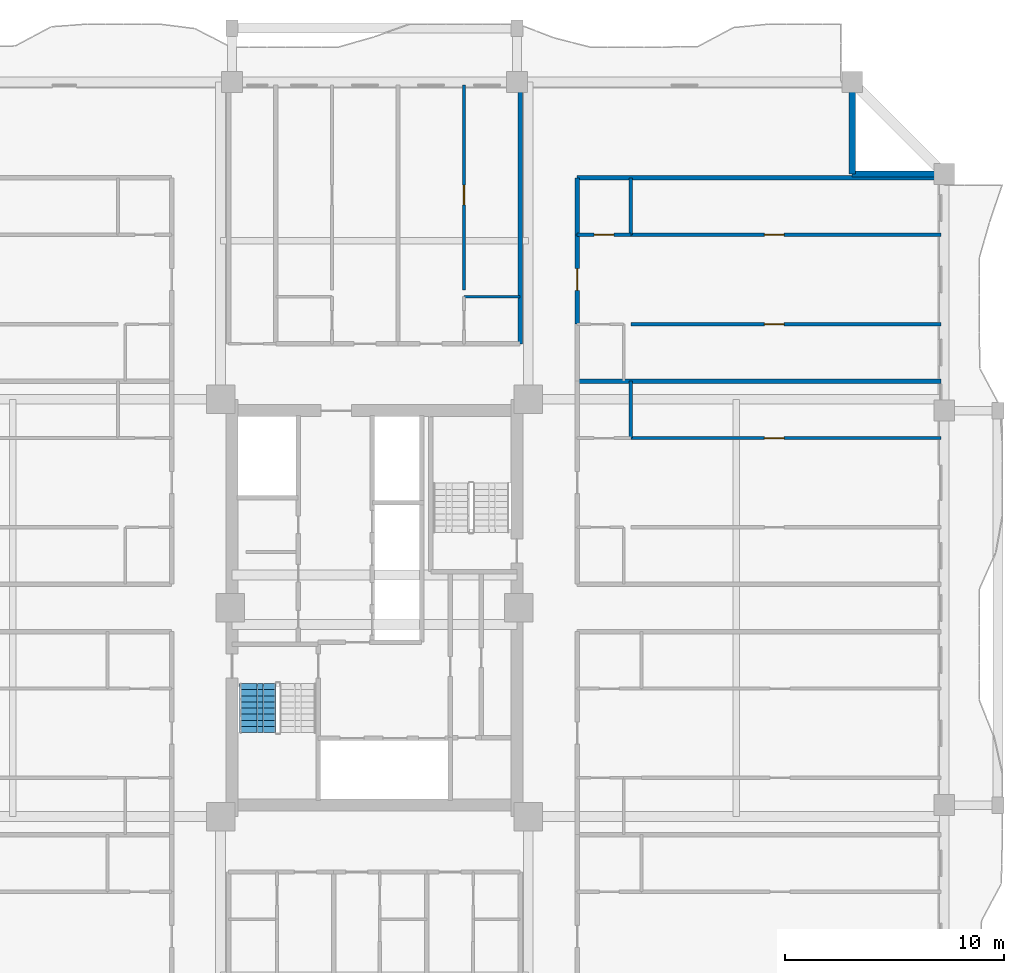
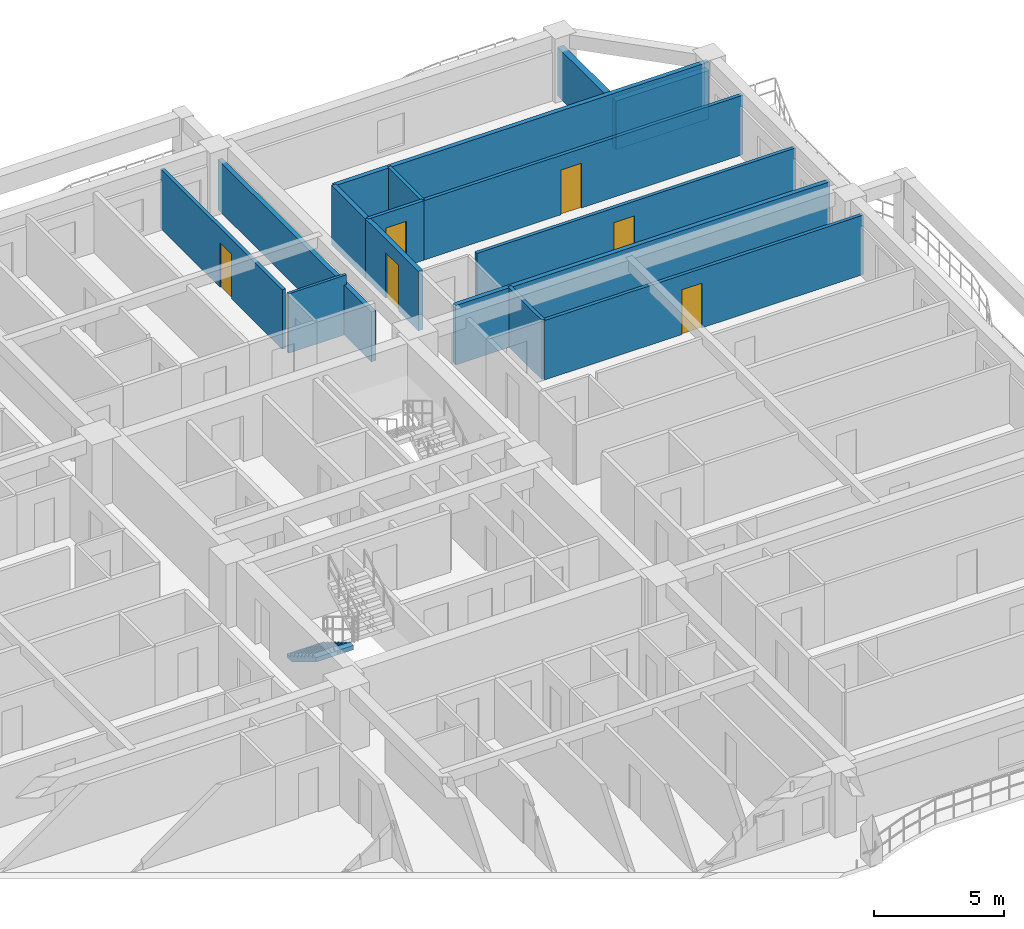
# One storey, part 8 of 13: 15 walls, 6 doors, 1 stair flight, 6 openings, 1 element without a shape of its own.
"""IFC4 building model written with IfcOpenShell, lengths in metres."""

from ifc_helpers import new_model, si_unit, direction, frame, frame_2d, origin, place, context, subcontext, project, spatial, polyline, rectangle, outline, extrude, source, transform, mapped, material, layer, layer_set, type_object, element, fill, aggregate, save


model = new_model("IFC4")

# Units and contexts
model_context = context("Model", 3, precision=1e-05, world=origin(), true_north=direction((0.0, 1.0)))
body_context = subcontext(model_context, "Body", "Model", "MODEL_VIEW")
ifc_project = project(units=[si_unit("LENGTHUNIT", "METRE"), si_unit("AREAUNIT", "SQUARE_METRE"), si_unit("VOLUMEUNIT", "CUBIC_METRE"), si_unit("PLANEANGLEUNIT", "RADIAN"), si_unit("MASSUNIT", "GRAM", prefix="KILO")], contexts=[model_context])

# Site, building, storey
site_placement = place(None, origin())
site = spatial("IfcSite", under=ifc_project, at=site_placement, CompositionType="ELEMENT")
building_placement = place(site_placement, origin())
building = spatial("IfcBuilding", under=site, at=building_placement, Name="Saelheon Loggia Tower", CompositionType="ELEMENT")
storey_placement = place(building_placement, frame((0.0, 0.0, 104.85009765625)))
storey = spatial("IfcBuildingStorey", under=building, at=storey_placement, Name="L33", CompositionType="ELEMENT", Elevation=104.85009765625)

# Walls
ifc_material_1 = material(Name="Architectural Precast Concrete C40/50", Category="concrete")
ifc_layer_1 = layer(ifc_material_1, 0.280029296875)
ifc_layer_set_1 = layer_set([ifc_layer_1], Name="Architectural Precast Concrete C40/50")
wall_type_1 = type_object("IfcWallType", Name="Wall_Ext_Loggia_280", PredefinedType="SOLIDWALL", material=ifc_layer_set_1)
for number, where, z_axis, x_axis, name in (
    (1, (59.800048828125, 46.800048828125, 0.0), (0.0, 0.0, 1.0), (0.0, 1.0, 0.0), "L33 Corner Notch Precast Wall NE1"),
    (2, (59.800048828125, 46.800048828125, 0.0), (0.0, 0.0, 1.0), (1.0, 0.0, 0.0), "L33 Corner Notch Precast Wall NE2"),
):
    element("IfcWall", number, at=place(storey_placement, frame(where, z_axis=z_axis, x_axis=x_axis)), inside=storey, type_object=wall_type_1, Name=name, PredefinedType="SOLIDWALL", context=body_context, shape_type="SweptSolid", body=[
        extrude(rectangle(XDim=4.119873046875, YDim=0.280029296875, at=frame_2d((2.06005859375, 0.0))), origin(), (0.0, 0.0, 1.0), 2.27978515625),
    ])

# Wall, opening, door
ifc_material_2 = material(Name="Lightweight Autoclaved Aerated Concrete Block and Acoustic Gypsum", Category="concrete")
ifc_layer_2 = layer(ifc_material_2, 0.14990234375)
ifc_layer_set_2 = layer_set([ifc_layer_2], Name="Lightweight Autoclaved Aerated Concrete Block and Acoustic Gypsum")
wall_type_2 = type_object("IfcWallType", Name="Wall_Part_150", PredefinedType="PARTITIONING", material=ifc_layer_set_2)
wall_1_placement = place(storey_placement, frame((42.08544921875, 41.5, 0.0), z_axis=(0.0, 0.0, 1.0), x_axis=(0.0, 1.0, 0.0)))
wall_1 = element("IfcWall", 3, at=wall_1_placement, inside=storey, type_object=wall_type_2, Name="L33 N Partition U15", PredefinedType="PARTITIONING", context=body_context, shape_type="SweptSolid", body=[
    extrude(rectangle(XDim=9.35009765625, YDim=0.14990234375, at=frame_2d((4.675048828125, 0.0))), origin(), (0.0, 0.0, 1.0), 2.789794921875),
])
opening_1_placement = place(wall_1_placement, frame((3.892822265625, 0.0, 0.0)))
opening_1 = element("IfcOpeningElement", 4, at=opening_1_placement, cuts=wall_1, Name="Opening D-IN2", PredefinedType="OPENING", context=body_context, shape_type="SweptSolid", body=[
    extrude(rectangle(XDim=0.89990234375, YDim=2.10009765625, at=frame_2d((0.449951171875, 1.050048828125))), frame((0.0, 0.0869140625, 0.0), z_axis=(0.0, -1.0, 0.0), x_axis=(1.0, 0.0, 0.0)), (0.0, 0.0, 1.0), 0.173828125),
])
ifc_material_3 = material(Name="Engineered Oak Flush Door", Category="timber")
door_type_1 = type_object("IfcDoorType", Name="Door_Int_900", OperationType="NOTDEFINED", PredefinedType="DOOR", material=ifc_material_3)
shared_shape_1 = source(origin(), body_context, "Body", "SweptSolid", [
    extrude(rectangle(XDim=0.89990234375, YDim=2.10009765625, at=frame_2d((0.449951171875, 1.050048828125))), frame((0.0, 0.02490234375, 0.0), z_axis=(0.0, -1.0, 0.0), x_axis=(1.0, 0.0, 0.0)), (0.0, 0.0, 1.0), 0.050048828125),
])
door_1_placement = place(opening_1_placement, origin())
door_1 = element("IfcDoor", 5, at=door_1_placement, inside=storey, type_object=door_type_1, Name="Unit U05 Kitchen Door", OperationType="SINGLE_SWING_LEFT", OverallHeight=2.10009765625, OverallWidth=0.89990234375, PredefinedType="DOOR", context=body_context, shape_type="MappedRepresentation", body=[
    mapped(shared_shape_1, transform((0.0, 0.0, 0.0), scale=1.0)),
])
fill(opening_1, door_1)

# Wall
wall_2_placement = place(storey_placement, frame((49.699951171875, 34.75, 0.0), z_axis=(0.0, 0.0, 1.0), x_axis=(0.0, 1.0, 0.0)))
element("IfcWall", 6, at=wall_2_placement, inside=storey, type_object=wall_type_2, Name="L33 EN Partition V07", PredefinedType="PARTITIONING", context=body_context, shape_type="SweptSolid", body=[
    extrude(rectangle(XDim=2.60009765625, YDim=0.14990234375, at=frame_2d((1.300048828125, 0.0))), origin(), (0.0, 0.0, 1.0), 2.789794921875),
])

# Wall, opening, door
wall_3_placement = place(storey_placement, frame((49.699951171875, 34.75, 0.0), z_axis=(0.0, 0.0, 1.0), x_axis=(1.0, 0.0, 0.0)))
wall_3 = element("IfcWall", 7, at=wall_3_placement, inside=storey, type_object=wall_type_2, Name="L33 EN Partition U11", PredefinedType="PARTITIONING", context=body_context, shape_type="SweptSolid", body=[
    extrude(rectangle(XDim=14.150146484375, YDim=0.14990234375, at=frame_2d((7.0751953125, 0.0))), origin(), (0.0, 0.0, 1.0), 2.789794921875),
])
opening_2_placement = place(wall_3_placement, frame((6.093017578125, 0.0, 0.0)))
opening_2 = element("IfcOpeningElement", 8, at=opening_2_placement, cuts=wall_3, Name="Opening D-IN2", PredefinedType="OPENING", context=body_context, shape_type="SweptSolid", body=[
    extrude(rectangle(XDim=0.89990234375, YDim=2.10009765625, at=frame_2d((0.449951171875, 1.050048828125))), frame((0.0, 0.0869140625, 0.0), z_axis=(0.0, -1.0, 0.0), x_axis=(1.0, 0.0, 0.0)), (0.0, 0.0, 1.0), 0.173828125),
])
door_2_placement = place(opening_2_placement, origin())
door_2 = element("IfcDoor", 9, at=door_2_placement, inside=storey, type_object=door_type_1, Name="Unit U12 Bedroom 1 Door", OperationType="SINGLE_SWING_RIGHT", OverallHeight=2.10009765625, OverallWidth=0.89990234375, PredefinedType="DOOR", context=body_context, shape_type="MappedRepresentation", body=[
    mapped(shared_shape_1, transform((0.0, 0.0, 0.0), scale=1.0)),
])
fill(opening_2, door_2)

# Wall
wall_4_placement = place(storey_placement, frame((49.699951171875, 44.02001953125, 0.0), z_axis=(0.0, 0.0, 1.0), x_axis=(0.0, 1.0, 0.0)))
element("IfcWall", 10, at=wall_4_placement, inside=storey, type_object=wall_type_2, Name="L33 EN Partition V17", PredefinedType="PARTITIONING", context=body_context, shape_type="SweptSolid", body=[
    extrude(rectangle(XDim=2.60009765625, YDim=0.14990234375, at=frame_2d((1.300048828125, 0.0))), origin(), (0.0, 0.0, 1.0), 2.789794921875),
])

# Wall, opening, door
wall_5_placement = place(storey_placement, frame((49.699951171875, 39.945556640625, 0.0), z_axis=(0.0, 0.0, 1.0), x_axis=(1.0, 0.0, 0.0)))
wall_5 = element("IfcWall", 11, at=wall_5_placement, inside=storey, type_object=wall_type_2, Name="L33 EN Partition U19", PredefinedType="PARTITIONING", context=body_context, shape_type="SweptSolid", body=[
    extrude(rectangle(XDim=14.150146484375, YDim=0.14990234375, at=frame_2d((7.0751953125, 0.0))), origin(), (0.0, 0.0, 1.0), 2.789794921875),
])
opening_3_placement = place(wall_5_placement, frame((6.093017578125, 0.0, 0.0)))
opening_3 = element("IfcOpeningElement", 12, at=opening_3_placement, cuts=wall_5, Name="Opening D-IN2", PredefinedType="OPENING", context=body_context, shape_type="SweptSolid", body=[
    extrude(rectangle(XDim=0.89990234375, YDim=2.10009765625, at=frame_2d((0.449951171875, 1.050048828125))), frame((0.0, 0.0869140625, 0.0), z_axis=(0.0, -1.0, 0.0), x_axis=(1.0, 0.0, 0.0)), (0.0, 0.0, 1.0), 0.173828125),
])
door_3_placement = place(opening_3_placement, origin())
door_3 = element("IfcDoor", 13, at=door_3_placement, inside=storey, type_object=door_type_1, Name="Unit U13 Kitchen Door", OperationType="SINGLE_SWING_LEFT", OverallHeight=2.10009765625, OverallWidth=0.89990234375, PredefinedType="DOOR", context=body_context, shape_type="MappedRepresentation", body=[
    mapped(shared_shape_1, transform((0.0, 0.0, 0.0), scale=1.0)),
])
fill(opening_3, door_3)

wall_6_placement = place(storey_placement, frame((47.25, 44.02001953125, 0.0), z_axis=(0.0, 0.0, 1.0), x_axis=(1.0, 0.0, 0.0)))
wall_6 = element("IfcWall", 14, at=wall_6_placement, inside=storey, type_object=wall_type_2, Name="L33 EN Partition U20", PredefinedType="PARTITIONING", context=body_context, shape_type="SweptSolid", body=[
    extrude(rectangle(XDim=2.449951171875, YDim=0.14990234375, at=frame_2d((1.22509765625, 0.0))), origin(), (0.0, 0.0, 1.0), 2.789794921875),
])
opening_4_placement = place(wall_6_placement, frame((0.77490234375, 0.0, 0.0)))
opening_4 = element("IfcOpeningElement", 15, at=opening_4_placement, cuts=wall_6, Name="Opening D-IN2", PredefinedType="OPENING", context=body_context, shape_type="SweptSolid", body=[
    extrude(rectangle(XDim=0.89990234375, YDim=2.10009765625, at=frame_2d((0.449951171875, 1.050048828125))), frame((0.0, 0.0869140625, 0.0), z_axis=(0.0, -1.0, 0.0), x_axis=(1.0, 0.0, 0.0)), (0.0, 0.0, 1.0), 0.173828125),
])
door_4_placement = place(opening_4_placement, origin())
door_4 = element("IfcDoor", 16, at=door_4_placement, inside=storey, type_object=door_type_1, Name="Unit U13 Dressing Closet Door", OperationType="SINGLE_SWING_RIGHT", OverallHeight=2.10009765625, OverallWidth=0.89990234375, PredefinedType="DOOR", context=body_context, shape_type="MappedRepresentation", body=[
    mapped(shared_shape_1, transform((0.0, 0.0, 0.0), scale=1.0)),
])
fill(opening_4, door_4)

wall_7_placement = place(storey_placement, frame((49.699951171875, 44.02001953125, 0.0), z_axis=(0.0, 0.0, 1.0), x_axis=(1.0, 0.0, 0.0)))
wall_7 = element("IfcWall", 17, at=wall_7_placement, inside=storey, type_object=wall_type_2, Name="L33 EN Partition U21", PredefinedType="PARTITIONING", context=body_context, shape_type="SweptSolid", body=[
    extrude(rectangle(XDim=14.150146484375, YDim=0.14990234375, at=frame_2d((7.0751953125, 0.0))), origin(), (0.0, 0.0, 1.0), 2.789794921875),
])
opening_5_placement = place(wall_7_placement, frame((6.093017578125, 0.0, 0.0)))
opening_5 = element("IfcOpeningElement", 18, at=opening_5_placement, cuts=wall_7, Name="Opening D-IN2", PredefinedType="OPENING", context=body_context, shape_type="SweptSolid", body=[
    extrude(rectangle(XDim=0.89990234375, YDim=2.10009765625, at=frame_2d((0.449951171875, 1.050048828125))), frame((0.0, 0.0869140625, 0.0), z_axis=(0.0, -1.0, 0.0), x_axis=(1.0, 0.0, 0.0)), (0.0, 0.0, 1.0), 0.173828125),
])
door_5_placement = place(opening_5_placement, origin())
door_5 = element("IfcDoor", 19, at=door_5_placement, inside=storey, type_object=door_type_1, Name="Unit U13 Bedroom 1 Door", OperationType="SINGLE_SWING_LEFT", OverallHeight=2.10009765625, OverallWidth=0.89990234375, PredefinedType="DOOR", context=body_context, shape_type="MappedRepresentation", body=[
    mapped(shared_shape_1, transform((0.0, 0.0, 0.0), scale=1.0)),
])
fill(opening_5, door_5)

# Walls
ifc_material_4 = material(Name="Double Acoustic Stud and Fireboard Partition", Category="gypsum")
ifc_layer_3 = layer(ifc_material_4, 0.199951171875)
ifc_layer_set_3 = layer_set([ifc_layer_3], Name="Double Acoustic Stud and Fireboard Partition")
wall_type_3 = type_object("IfcWallType", Name="Wall_Party_200", PredefinedType="PARTITIONING", material=ifc_layer_set_3)
wall_8_placement = place(storey_placement, frame((44.64990234375, 39.050048828125, 0.0), z_axis=(0.0, 0.0, 1.0), x_axis=(0.0, 1.0, 0.0)))
element("IfcWall", 20, at=wall_8_placement, inside=storey, type_object=wall_type_3, Name="L33 N Partition U02", PredefinedType="PARTITIONING", context=body_context, shape_type="SweptSolid", body=[
    extrude(rectangle(XDim=11.800048828125, YDim=0.199951171875, at=frame_2d((5.89990234375, 0.0))), origin(), (0.0, 0.0, 1.0), 2.33984375),
])
for number, where, z_axis, x_axis, name in (
    (21, (47.25, 46.6201171875, 0.0), (0.0, 0.0, 1.0), (1.0, 0.0, 0.0), "L33 EN Partition U02"),
    (22, (47.25, 37.35009765625, 0.0), (0.0, 0.0, 1.0), (1.0, 0.0, 0.0), "L33 EN Partition U12"),
):
    element("IfcWall", number, at=place(storey_placement, frame(where, z_axis=z_axis, x_axis=x_axis)), inside=storey, type_object=wall_type_3, Name=name, PredefinedType="PARTITIONING", context=body_context, shape_type="SweptSolid", body=[
        extrude(rectangle(XDim=16.60009765625, YDim=0.199951171875, at=frame_2d((8.300048828125, 0.0))), origin(), (0.0, 0.0, 1.0), 2.789794921875),
    ])

# Wall, opening, door
wall_9_placement = place(storey_placement, frame((47.25, 39.945556640625, 0.0), z_axis=(0.0, 0.0, 1.0), x_axis=(0.0, 1.0, 0.0)))
wall_9 = element("IfcWall", 23, at=wall_9_placement, inside=storey, type_object=wall_type_3, Name="L33 EN Partition V14", PredefinedType="PARTITIONING", context=body_context, shape_type="SweptSolid", body=[
    extrude(rectangle(XDim=4.074462890625, YDim=0.199951171875, at=frame_2d((2.037109375, 0.0))), origin(), (0.0, 0.0, 1.0), 2.789794921875),
])
opening_6_placement = place(wall_9_placement, frame((1.537109375, 0.0, 0.0)))
opening_6 = element("IfcOpeningElement", 24, at=opening_6_placement, cuts=wall_9, Name="Opening D-FD1", PredefinedType="OPENING", context=body_context, shape_type="SweptSolid", body=[
    extrude(rectangle(XDim=1.0, YDim=2.14990234375, at=frame_2d((0.5, 1.074951171875))), frame((0.0, 0.112060546875, 0.0), z_axis=(0.0, -1.0, 0.0), x_axis=(1.0, 0.0, 0.0)), (0.0, 0.0, 1.0), 0.223876953125),
])
ifc_material_5 = material(Name="Fire-Rated Engineered Timber Entrance Door", Category="wood")
door_type_2 = type_object("IfcDoorType", Name="Door_Flat_FD30S", OperationType="NOTDEFINED", PredefinedType="DOOR", material=ifc_material_5)
shared_shape_2 = source(origin(), body_context, "Body", "SweptSolid", [
    extrude(rectangle(XDim=1.0, YDim=2.14990234375, at=frame_2d((0.5, 1.074951171875))), frame((0.0, 0.02490234375, 0.0), z_axis=(0.0, -1.0, 0.0), x_axis=(1.0, 0.0, 0.0)), (0.0, 0.0, 1.0), 0.050048828125),
])
door_6_placement = place(opening_6_placement, origin())
door_6 = element("IfcDoor", 25, at=door_6_placement, inside=storey, type_object=door_type_2, Name="Unit U13 Entrance Door", OperationType="SINGLE_SWING_LEFT", OverallHeight=2.14990234375, OverallWidth=1.0, PredefinedType="DOOR", context=body_context, shape_type="MappedRepresentation", body=[
    mapped(shared_shape_2, transform((0.0, 0.0, 0.0), scale=1.0)),
])
fill(opening_6, door_6)

# Walls
wall_10_placement = place(storey_placement, frame((47.25, 44.02001953125, 0.0), z_axis=(0.0, 0.0, 1.0), x_axis=(0.0, 1.0, 0.0)))
element("IfcWall", 26, at=wall_10_placement, inside=storey, type_object=wall_type_3, Name="L33 EN Partition V15", PredefinedType="PARTITIONING", context=body_context, shape_type="SweptSolid", body=[
    extrude(rectangle(XDim=2.60009765625, YDim=0.199951171875, at=frame_2d((1.300048828125, 0.0))), origin(), (0.0, 0.0, 1.0), 2.789794921875),
])
ifc_material_6 = material(Name="Moisture-Resistant Cement Board Partition", Category="gypsum")
ifc_layer_4 = layer(ifc_material_6, 0.1201171875)
ifc_layer_set_4 = layer_set([ifc_layer_4], Name="Moisture-Resistant Cement Board Partition")
wall_type_4 = type_object("IfcWallType", Name="Wall_WetPart_120", PredefinedType="PARTITIONING", material=ifc_layer_set_4)
wall_11_placement = place(storey_placement, frame((42.08544921875, 41.199951171875, 0.0), z_axis=(0.0, 0.0, 1.0), x_axis=(1.0, 0.0, 0.0)))
element("IfcWall", 27, at=wall_11_placement, inside=storey, type_object=wall_type_4, Name="L33 N Partition V14", PredefinedType="PARTITIONING", context=body_context, shape_type="SweptSolid", body=[
    extrude(rectangle(XDim=2.564453125, YDim=0.1201171875, at=frame_2d((1.2822265625, 0.0))), origin(), (0.0, 0.0, 1.0), 2.789794921875),
])

# Stair, stair flight
ifc_material_7 = material(Name="Concrete C40/50", Category="concrete")
stair_type = type_object("IfcStairType", Name="Stair_Escape_Core", PredefinedType="HALF_TURN_STAIR", material=ifc_material_7)
stair_placement = place(storey_placement, origin())
stair = element("IfcStair", 28, at=stair_placement, inside=storey, type_object=stair_type, Name="L33 Special Escape Stair ST1", PredefinedType="HALF_TURN_STAIR")
stair_flight_type = type_object("IfcStairFlightType", Name="StairFlight_Tower_1660", PredefinedType="STRAIGHT", material=ifc_material_7)
stair_flight_placement = place(storey_placement, frame((32.679931640625, 23.550048828125, 0.0), z_axis=(0.0, 0.0, 1.0), x_axis=(0.0, -1.0, 0.0)))
stair_flight = element("IfcStairFlight", 29, at=stair_flight_placement, type_object=stair_flight_type, Name="ST1 flight 1", NumberOfRisers=9, NumberOfTreads=8, PredefinedType="STRAIGHT", RiserHeight=0.166666667, TreadLength=0.28, context=body_context, shape_type="SweptSolid", body=[
    extrude(outline(polyline([(0.0, 0.0), (0.0, 0.166748046875), (0.280029296875, 0.166748046875), (0.280029296875, 0.333251953125), (0.56005859375, 0.333251953125), (0.56005859375, 0.5), (0.840087890625, 0.5), (0.840087890625, 0.666748046875), (1.1201171875, 0.666748046875), (1.1201171875, 0.833251953125), (1.39990234375, 0.833251953125), (1.39990234375, 1.0), (1.679931640625, 1.0), (1.679931640625, 1.166748046875), (1.9599609375, 1.166748046875), (1.9599609375, 1.333251953125), (2.239990234375, 1.333251953125), (2.239990234375, 1.5), (2.239990234375, 1.1240234375), (0.351806640625, 0.0), (0.0, 0.0)])), frame((0.0, -0.2490234375, 0.0), z_axis=(0.0, -1.0, 0.0), x_axis=(1.0, 0.0, 0.0)), (0.0, 0.0, 1.0), 0.5810546875),
    extrude(outline(polyline([(0.0, 0.0), (0.0, 0.166748046875), (0.280029296875, 0.166748046875), (0.280029296875, 0.333251953125), (0.56005859375, 0.333251953125), (0.56005859375, 0.5), (0.840087890625, 0.5), (0.840087890625, 0.666748046875), (1.1201171875, 0.666748046875), (1.1201171875, 0.833251953125), (1.39990234375, 0.833251953125), (1.39990234375, 1.0), (1.679931640625, 1.0), (1.679931640625, 1.166748046875), (1.9599609375, 1.166748046875), (1.9599609375, 1.333251953125), (2.239990234375, 1.333251953125), (2.239990234375, 1.5), (2.239990234375, 1.1240234375), (0.351806640625, 0.0), (0.0, 0.0)])), frame((0.0, -0.194091796875, 0.0), z_axis=(0.0, -1.0, 0.0), x_axis=(1.0, 0.0, 0.0)), (0.0, 0.0, 1.0), 0.0498046875),
    extrude(outline(polyline([(0.0, 0.0), (0.0, 0.166748046875), (0.280029296875, 0.166748046875), (0.280029296875, 0.333251953125), (0.56005859375, 0.333251953125), (0.56005859375, 0.5), (0.840087890625, 0.5), (0.840087890625, 0.666748046875), (1.1201171875, 0.666748046875), (1.1201171875, 0.833251953125), (1.39990234375, 0.833251953125), (1.39990234375, 1.0), (1.679931640625, 1.0), (1.679931640625, 1.166748046875), (1.9599609375, 1.166748046875), (1.9599609375, 1.333251953125), (2.239990234375, 1.333251953125), (2.239990234375, 1.5), (2.239990234375, 1.1240234375), (0.351806640625, 0.0), (0.0, 0.0)])), frame((0.0, -0.139404296875, 0.0), z_axis=(0.0, -1.0, 0.0), x_axis=(1.0, 0.0, 0.0)), (0.0, 0.0, 1.0), 0.0498046875),
    extrude(outline(polyline([(0.0, 0.0), (0.0, 0.166748046875), (0.280029296875, 0.166748046875), (0.280029296875, 0.333251953125), (0.56005859375, 0.333251953125), (0.56005859375, 0.5), (0.840087890625, 0.5), (0.840087890625, 0.666748046875), (1.1201171875, 0.666748046875), (1.1201171875, 0.833251953125), (1.39990234375, 0.833251953125), (1.39990234375, 1.0), (1.679931640625, 1.0), (1.679931640625, 1.166748046875), (1.9599609375, 1.166748046875), (1.9599609375, 1.333251953125), (2.239990234375, 1.333251953125), (2.239990234375, 1.5), (2.239990234375, 1.1240234375), (0.351806640625, 0.0), (0.0, 0.0)])), frame((0.0, -0.084716796875, 0.0), z_axis=(0.0, -1.0, 0.0), x_axis=(1.0, 0.0, 0.0)), (0.0, 0.0, 1.0), 0.0498046875),
    extrude(outline(polyline([(0.0, 0.0), (0.0, 0.166748046875), (0.280029296875, 0.166748046875), (0.280029296875, 0.333251953125), (0.56005859375, 0.333251953125), (0.56005859375, 0.5), (0.840087890625, 0.5), (0.840087890625, 0.666748046875), (1.1201171875, 0.666748046875), (1.1201171875, 0.833251953125), (1.39990234375, 0.833251953125), (1.39990234375, 1.0), (1.679931640625, 1.0), (1.679931640625, 1.166748046875), (1.9599609375, 1.166748046875), (1.9599609375, 1.333251953125), (2.239990234375, 1.333251953125), (2.239990234375, 1.5), (2.239990234375, 1.1240234375), (0.351806640625, 0.0), (0.0, 0.0)])), frame((0.0, -0.02978515625, 0.0), z_axis=(0.0, -1.0, 0.0), x_axis=(1.0, 0.0, 0.0)), (0.0, 0.0, 1.0), 0.0498046875),
    extrude(outline(polyline([(0.0, 0.0), (0.0, 0.166748046875), (0.280029296875, 0.166748046875), (0.280029296875, 0.333251953125), (0.56005859375, 0.333251953125), (0.56005859375, 0.5), (0.840087890625, 0.5), (0.840087890625, 0.666748046875), (1.1201171875, 0.666748046875), (1.1201171875, 0.833251953125), (1.39990234375, 0.833251953125), (1.39990234375, 1.0), (1.679931640625, 1.0), (1.679931640625, 1.166748046875), (1.9599609375, 1.166748046875), (1.9599609375, 1.333251953125), (2.239990234375, 1.333251953125), (2.239990234375, 1.5), (2.239990234375, 1.1240234375), (0.351806640625, 0.0), (0.0, 0.0)])), frame((0.0, 0.02490234375, 0.0), z_axis=(0.0, -1.0, 0.0), x_axis=(1.0, 0.0, 0.0)), (0.0, 0.0, 1.0), 0.0498046875),
    extrude(outline(polyline([(0.0, 0.0), (0.0, 0.166748046875), (0.280029296875, 0.166748046875), (0.280029296875, 0.333251953125), (0.56005859375, 0.333251953125), (0.56005859375, 0.5), (0.840087890625, 0.5), (0.840087890625, 0.666748046875), (1.1201171875, 0.666748046875), (1.1201171875, 0.833251953125), (1.39990234375, 0.833251953125), (1.39990234375, 1.0), (1.679931640625, 1.0), (1.679931640625, 1.166748046875), (1.9599609375, 1.166748046875), (1.9599609375, 1.333251953125), (2.239990234375, 1.333251953125), (2.239990234375, 1.5), (2.239990234375, 1.1240234375), (0.351806640625, 0.0), (0.0, 0.0)])), frame((0.0, 0.07958984375, 0.0), z_axis=(0.0, -1.0, 0.0), x_axis=(1.0, 0.0, 0.0)), (0.0, 0.0, 1.0), 0.0498046875),
    extrude(outline(polyline([(0.0, 0.0), (0.0, 0.166748046875), (0.280029296875, 0.166748046875), (0.280029296875, 0.333251953125), (0.56005859375, 0.333251953125), (0.56005859375, 0.5), (0.840087890625, 0.5), (0.840087890625, 0.666748046875), (1.1201171875, 0.666748046875), (1.1201171875, 0.833251953125), (1.39990234375, 0.833251953125), (1.39990234375, 1.0), (1.679931640625, 1.0), (1.679931640625, 1.166748046875), (1.9599609375, 1.166748046875), (1.9599609375, 1.333251953125), (2.239990234375, 1.333251953125), (2.239990234375, 1.5), (2.239990234375, 1.1240234375), (0.351806640625, 0.0), (0.0, 0.0)])), frame((0.0, 0.134521484375, 0.0), z_axis=(0.0, -1.0, 0.0), x_axis=(1.0, 0.0, 0.0)), (0.0, 0.0, 1.0), 0.0498046875),
    extrude(outline(polyline([(0.0, 0.0), (0.0, 0.166748046875), (0.280029296875, 0.166748046875), (0.280029296875, 0.333251953125), (0.56005859375, 0.333251953125), (0.56005859375, 0.5), (0.840087890625, 0.5), (0.840087890625, 0.666748046875), (1.1201171875, 0.666748046875), (1.1201171875, 0.833251953125), (1.39990234375, 0.833251953125), (1.39990234375, 1.0), (1.679931640625, 1.0), (1.679931640625, 1.166748046875), (1.9599609375, 1.166748046875), (1.9599609375, 1.333251953125), (2.239990234375, 1.333251953125), (2.239990234375, 1.5), (2.239990234375, 1.1240234375), (0.351806640625, 0.0), (0.0, 0.0)])), frame((0.0, 0.189208984375, 0.0), z_axis=(0.0, -1.0, 0.0), x_axis=(1.0, 0.0, 0.0)), (0.0, 0.0, 1.0), 0.0498046875),
    extrude(outline(polyline([(0.0, 0.0), (0.0, 0.166748046875), (0.280029296875, 0.166748046875), (0.280029296875, 0.333251953125), (0.56005859375, 0.333251953125), (0.56005859375, 0.5), (0.840087890625, 0.5), (0.840087890625, 0.666748046875), (1.1201171875, 0.666748046875), (1.1201171875, 0.833251953125), (1.39990234375, 0.833251953125), (1.39990234375, 1.0), (1.679931640625, 1.0), (1.679931640625, 1.166748046875), (1.9599609375, 1.166748046875), (1.9599609375, 1.333251953125), (2.239990234375, 1.333251953125), (2.239990234375, 1.5), (2.239990234375, 1.1240234375), (0.351806640625, 0.0), (0.0, 0.0)])), frame((0.0, 0.243896484375, 0.0), z_axis=(0.0, -1.0, 0.0), x_axis=(1.0, 0.0, 0.0)), (0.0, 0.0, 1.0), 0.0498046875),
    extrude(outline(polyline([(0.0, 0.0), (0.0, 0.166748046875), (0.280029296875, 0.166748046875), (0.280029296875, 0.333251953125), (0.56005859375, 0.333251953125), (0.56005859375, 0.5), (0.840087890625, 0.5), (0.840087890625, 0.666748046875), (1.1201171875, 0.666748046875), (1.1201171875, 0.833251953125), (1.39990234375, 0.833251953125), (1.39990234375, 1.0), (1.679931640625, 1.0), (1.679931640625, 1.166748046875), (1.9599609375, 1.166748046875), (1.9599609375, 1.333251953125), (2.239990234375, 1.333251953125), (2.239990234375, 1.5), (2.239990234375, 1.1240234375), (0.351806640625, 0.0), (0.0, 0.0)])), frame((0.0, 0.830078125, 0.0), z_axis=(0.0, -1.0, 0.0), x_axis=(1.0, 0.0, 0.0)), (0.0, 0.0, 1.0), 0.5810546875),
])
aggregate(stair, [stair_flight])

save(model, "model.ifc")
